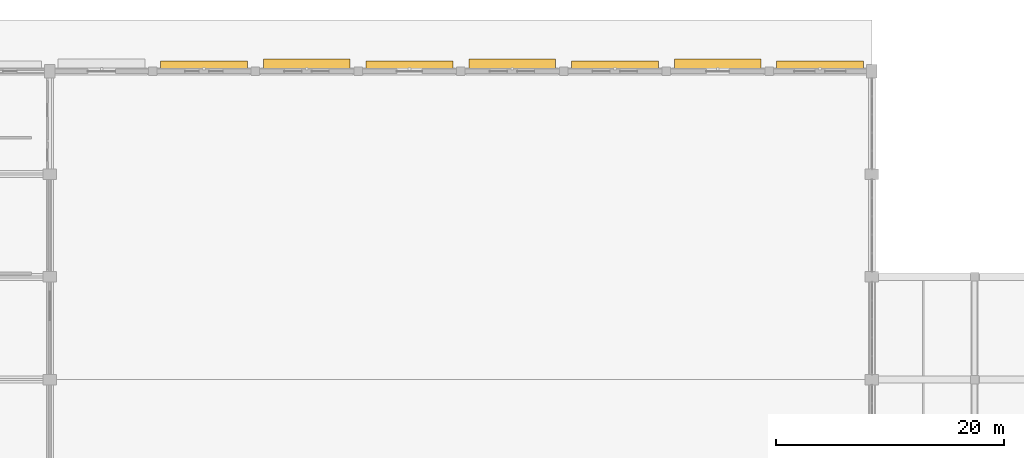
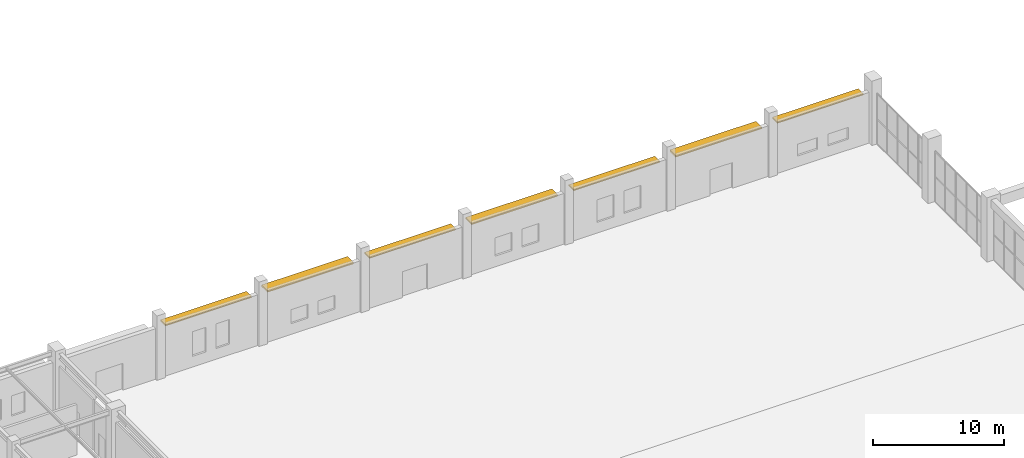
# One storey, part 90 of 91: 7 shading devices.
"""IFC4 building model written with IfcOpenShell, lengths in metres."""

from ifc_helpers import new_model, si_unit, direction, frame, origin, origin_2d, place, context, subcontext, project, spatial, rectangle, extrude, material, layer, layer_set, type_object, element, save


model = new_model("IFC4")

# Units and contexts
model_context = context("Model", 3, precision=1e-05, world=origin(), true_north=direction((0.0, 1.0)))
body_context = subcontext(model_context, "Body", "Model", "MODEL_VIEW")
ifc_project = project(units=[si_unit("LENGTHUNIT", "METRE"), si_unit("AREAUNIT", "SQUARE_METRE"), si_unit("VOLUMEUNIT", "CUBIC_METRE"), si_unit("PLANEANGLEUNIT", "RADIAN"), si_unit("MASSUNIT", "GRAM", prefix="KILO")], contexts=[model_context])

# Site, building, storey
site_placement = place(None, origin())
site = spatial("IfcSite", under=ifc_project, at=site_placement, CompositionType="ELEMENT")
building_placement = place(site_placement, origin())
building = spatial("IfcBuilding", under=site, at=building_placement, Name="Dornveld Trade and Exhibition Forum", CompositionType="ELEMENT")
storey_placement = place(building_placement, origin())
storey = spatial("IfcBuildingStorey", under=building, at=storey_placement, Name="L00", CompositionType="ELEMENT", Elevation=0.0)

# Shading devices
ifc_material_1 = material(Name="Dark-bronze anodised aluminium", Category="aluminium")
ifc_layer_1 = layer(ifc_material_1, 0.139892578125)
ifc_layer_set_1 = layer_set([ifc_layer_1], Name="Dark-bronze anodised aluminium")
shading_device_type_1 = type_object("IfcShadingDeviceType", Name="SHD-HOOD-750", PredefinedType="AWNING", material=ifc_layer_set_1)
for number, where, z_axis, x_axis, name in (
    (1, (112.5, 162.554931640625, 4.35009765625), (0.0, 0.0, 1.0), (-1.0, 0.0, 0.0), "L00 northern horizontal sun-hood 12"),
    (2, (130.5, 162.554931640625, 4.35009765625), (0.0, 0.0, 1.0), (-1.0, 0.0, 0.0), "L00 northern horizontal sun-hood 14"),
    (3, (148.5, 162.554931640625, 4.35009765625), (0.0, 0.0, 1.0), (-1.0, 0.0, 0.0), "L00 northern horizontal sun-hood 16"),
    (4, (166.46240234375, 162.554931640625, 4.35009765625), (0.0, 0.0, 1.0), (-1.0, 0.0, 0.0), "L00 northern horizontal sun-hood 18"),
):
    element("IfcShadingDevice", number, at=place(storey_placement, frame(where, z_axis=z_axis, x_axis=x_axis)), inside=storey, type_object=shading_device_type_1, Name=name, PredefinedType="AWNING", context=body_context, shape_type="SweptSolid", body=[
        extrude(rectangle(XDim=7.60009765625, YDim=0.75, at=origin_2d()), origin(), (0.0, 0.0, 1.0), 0.139892578125),
    ])
ifc_material_2 = material(Name="Precast concrete C50/60", Category="concrete")
ifc_layer_2 = layer(ifc_material_2, 0.159912109375)
ifc_layer_set_2 = layer_set([ifc_layer_2], Name="Precast concrete C50/60")
shading_device_type_2 = type_object("IfcShadingDeviceType", Name="SHD-HOOD-900", PredefinedType="AWNING", material=ifc_layer_set_2)
for number, where, z_axis, x_axis, name in (
    (5, (121.5, 162.6298828125, 4.33984375), (0.0, 0.0, 1.0), (-1.0, 0.0, 0.0), "L00 northern horizontal sun-hood 13"),
    (6, (139.5, 162.6298828125, 4.33984375), (0.0, 0.0, 1.0), (-1.0, 0.0, 0.0), "L00 northern horizontal sun-hood 15"),
    (7, (157.5, 162.6298828125, 4.33984375), (0.0, 0.0, 1.0), (-1.0, 0.0, 0.0), "L00 northern horizontal sun-hood 17"),
):
    element("IfcShadingDevice", number, at=place(storey_placement, frame(where, z_axis=z_axis, x_axis=x_axis)), inside=storey, type_object=shading_device_type_2, Name=name, PredefinedType="AWNING", context=body_context, shape_type="SweptSolid", body=[
        extrude(rectangle(XDim=7.60009765625, YDim=0.89990234375, at=origin_2d()), origin(), (0.0, 0.0, 1.0), 0.159912109375),
    ])

save(model, "model.ifc")
